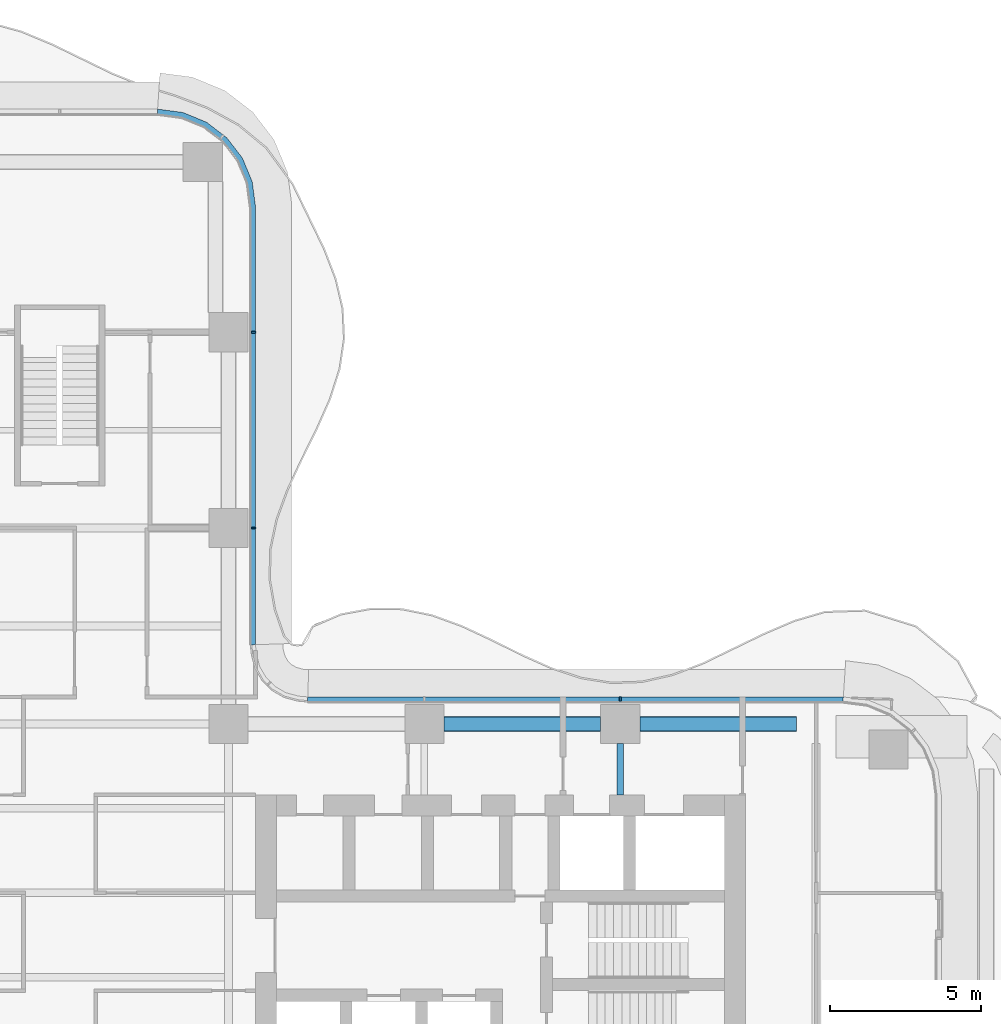
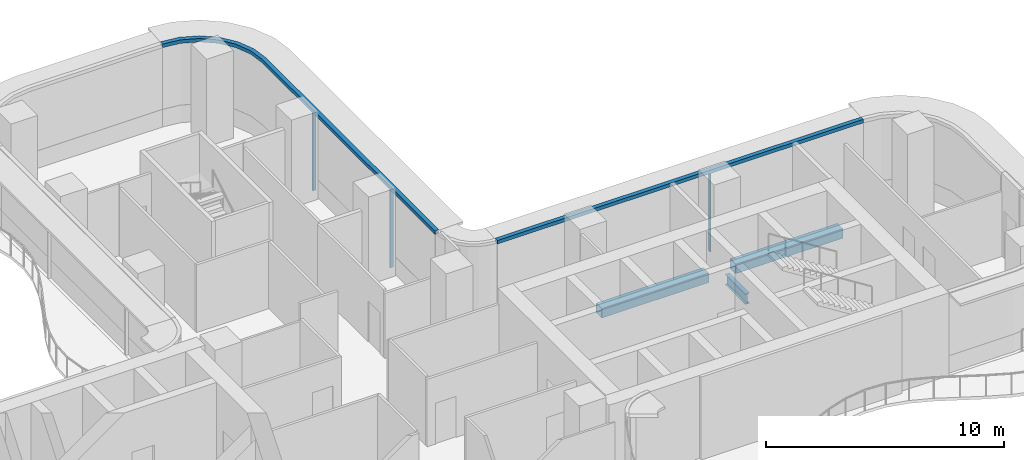
# One storey, part 10 of 21: 5 members, 3 beams, 2 elements without a shape of their own.
"""IFC4 building model written with IfcOpenShell, lengths in metres."""

import ifcopenshell
import ifcopenshell.guid

model = None  # the IFC model being written
_history = None  # IfcOwnerHistory: only IFC2X3 demands one
_inside = {}  # id of a spatial element -> (the spatial element, [elements in it])
_under = {}  # id of a project, library or spatial element -> (it, [spatial elements below it])
_declared = {}  # id of a project -> (the project, [libraries it declares])
_typed = {}  # id of a type object -> (the type object, [elements of that type])
_made_of = {}  # id of a material, layer set ... -> (it, [elements and type objects made of it])


def new_model(schema):
    """Start an empty IFC model of exactly this schema.

    Asked for "IFC4X3", IfcOpenShell would pick the latest addendum, in which some entities
    have other attributes; the version numbers below select the first issue.
    IFC2X3 requires an IfcOwnerHistory on every rooted entity: one is made here for all.
    """
    global model, _history
    if schema == "IFC4X3":
        model = ifcopenshell.file(schema_version=(4, 3, 0, 0))
    else:
        model = ifcopenshell.file(schema=schema)
    _inside.clear()
    _under.clear()
    _declared.clear()
    _typed.clear()
    _made_of.clear()
    _history = None
    if model.schema == "IFC2X3":
        org = make("IfcOrganization", Name="unknown")
        user = make(
            "IfcPersonAndOrganization",
            ThePerson=make("IfcPerson", FamilyName="unknown"),
            TheOrganization=org,
        )
        app = make(
            "IfcApplication",
            ApplicationDeveloper=org,
            Version="unknown",
            ApplicationFullName="unknown",
            ApplicationIdentifier="unknown",
        )
        _history = make(
            "IfcOwnerHistory",
            OwningUser=user,
            OwningApplication=app,
            ChangeAction="ADDED",
            CreationDate=0,
        )
    return model


def make(cls, **values):
    """One entity of the class cls with the attributes given. An attribute that is None is left unset."""
    return model.create_entity(
        cls, **{name: value for name, value in values.items() if value is not None}
    )


def rooted(cls, **values):
    """An entity with a GlobalId (a new one), such as an element, a storey or a relation."""
    return make(cls, GlobalId=ifcopenshell.guid.new(), OwnerHistory=_history, **values)


def si_unit(unit_type, name, prefix=None):
    """IfcSIUnit, for example si_unit("LENGTHUNIT", "METRE", prefix="MILLI")."""
    return make("IfcSIUnit", UnitType=unit_type, Prefix=prefix, Name=name)


def assignment(units):
    """IfcUnitAssignment: the units of a project."""
    return None if units is None else make("IfcUnitAssignment", Units=units)


def point(xyz):
    """IfcCartesianPoint."""
    return None if xyz is None else make("IfcCartesianPoint", Coordinates=xyz)


def direction(xyz):
    """IfcDirection."""
    return None if xyz is None else make("IfcDirection", DirectionRatios=xyz)


def frame(location, z_axis=None, x_axis=None):
    """IfcAxis2Placement3D, a coordinate frame: its origin and axes. An axis left out is left unset."""
    return make(
        "IfcAxis2Placement3D",
        Location=point(location),
        Axis=direction(z_axis),
        RefDirection=direction(x_axis),
    )


def frame_2d(location, x_axis=None):
    """IfcAxis2Placement2D, a coordinate frame in the plane: its origin and x axis."""
    return make(
        "IfcAxis2Placement2D", Location=point(location), RefDirection=direction(x_axis)
    )


def origin():
    """The frame at (0, 0, 0) with its axes left unset."""
    return frame((0.0, 0.0, 0.0))


def origin_2d():
    """The frame at (0, 0) in the plane with its x axis left unset."""
    return frame_2d((0.0, 0.0))


def place(relative_to, where):
    """IfcLocalPlacement: puts the frame where relative to a parent placement (None: the world)."""
    return make(
        "IfcLocalPlacement", PlacementRelTo=relative_to, RelativePlacement=where
    )


def context(
    kind, dimensions, precision=None, world=None, true_north=None, identifier=None
):
    """IfcGeometricRepresentationContext, for example the 3D "Model" context."""
    return make(
        "IfcGeometricRepresentationContext",
        ContextIdentifier=identifier,
        ContextType=kind,
        CoordinateSpaceDimension=dimensions,
        Precision=precision,
        WorldCoordinateSystem=world,
        TrueNorth=true_north,
    )


def subcontext(parent, identifier, kind, view, scale=None):
    """IfcGeometricRepresentationSubContext, for example "Body" below "Model"."""
    return make(
        "IfcGeometricRepresentationSubContext",
        ContextIdentifier=identifier,
        ContextType=kind,
        ParentContext=parent,
        TargetScale=scale,
        TargetView=view,
    )


def project(units=None, contexts=None):
    """IfcProject with its units and contexts."""
    return rooted(
        "IfcProject",
        Name="project",
        RepresentationContexts=contexts,
        UnitsInContext=assignment(units),
    )


def spatial(cls, under=None, at=None, **own):
    """A site, building, storey or space (cls), placed at a placement, below another one or the project."""
    s = rooted(cls, ObjectPlacement=at, **own)
    if under is not None:
        _under.setdefault(under.id(), (under, []))[1].append(s)
    return s


def polyline(points):
    """IfcPolyline through the points."""
    return make("IfcPolyline", Points=[point(p) for p in points])


def profile(cls, at=None, kind="AREA", **sizes):
    """A parametric profile (cls). Its sizes go by their IFC names, for example OverallWidth=200.0."""
    return make(cls, ProfileType=kind, Position=at, **sizes)


def rectangle(**sizes):
    """IfcRectangleProfileDef."""
    return profile("IfcRectangleProfileDef", **sizes)


def hollow_rectangle(**sizes):
    """IfcRectangleHollowProfileDef."""
    return profile("IfcRectangleHollowProfileDef", **sizes)


def i_section(**sizes):
    """IfcIShapeProfileDef."""
    return profile("IfcIShapeProfileDef", **sizes)


def outline(outer, holes=None, kind="AREA"):
    """IfcArbitraryClosedProfileDef: a profile drawn as a closed curve; with holes, ...WithVoids."""
    if holes is None:
        return make("IfcArbitraryClosedProfileDef", ProfileType=kind, OuterCurve=outer)
    return make(
        "IfcArbitraryProfileDefWithVoids",
        ProfileType=kind,
        OuterCurve=outer,
        InnerCurves=holes,
    )


def extrude(swept, where, along, depth):
    """IfcExtrudedAreaSolid: the profile swept, set in the frame where, extruded along a direction by depth."""
    return make(
        "IfcExtrudedAreaSolid",
        SweptArea=swept,
        Position=where,
        ExtrudedDirection=direction(along),
        Depth=depth,
    )


def shape(context_of_items, identifier, shape_type, items):
    """IfcShapeRepresentation: the items that make up one representation, for example the "Body"."""
    return make(
        "IfcShapeRepresentation",
        ContextOfItems=context_of_items,
        RepresentationIdentifier=identifier,
        RepresentationType=shape_type,
        Items=items,
    )


def source(mapping_origin, context_of_items, identifier, shape_type, items):
    """IfcRepresentationMap: a shape defined once, which mapped items show again and again."""
    return make(
        "IfcRepresentationMap",
        MappingOrigin=mapping_origin,
        MappedRepresentation=shape(context_of_items, identifier, shape_type, items),
    )


def transform(
    local_origin,
    x_axis=None,
    y_axis=None,
    z_axis=None,
    scale=None,
    scale2=None,
    scale3=None,
    uniform=True,
):
    """IfcCartesianTransformationOperator3D, or its non-uniform kind. x_axis, y_axis, z_axis: its Axis1, 2, 3."""
    if uniform:
        return make(
            "IfcCartesianTransformationOperator3D",
            Axis1=direction(x_axis),
            Axis2=direction(y_axis),
            LocalOrigin=point(local_origin),
            Scale=scale,
            Axis3=direction(z_axis),
        )
    return make(
        "IfcCartesianTransformationOperator3DnonUniform",
        Axis1=direction(x_axis),
        Axis2=direction(y_axis),
        LocalOrigin=point(local_origin),
        Scale=scale,
        Axis3=direction(z_axis),
        Scale2=scale2,
        Scale3=scale3,
    )


def mapped(mapping_source, mapping_target):
    """IfcMappedItem: shows the shape of a source again, moved by a transform."""
    return make(
        "IfcMappedItem", MappingSource=mapping_source, MappingTarget=mapping_target
    )


def material(Name=None, Category=None):
    """IfcMaterial."""
    return make("IfcMaterial", Name=Name, Category=Category)


def layer(
    of_material, thickness, ventilated=None, Name=None, Category=None, Priority=None
):
    """IfcMaterialLayer: one layer of a wall or slab, of a material (None: an air gap)."""
    return make(
        "IfcMaterialLayer",
        Material=of_material,
        LayerThickness=thickness,
        IsVentilated=ventilated,
        Name=Name,
        Category=Category,
        Priority=Priority,
    )


def layer_set(layers, Name=None):
    """IfcMaterialLayerSet."""
    return make("IfcMaterialLayerSet", MaterialLayers=layers, LayerSetName=Name)


def material_profile(
    of_material, cross_section, Name=None, Category=None, Priority=None
):
    """IfcMaterialProfile: a cross section and its material."""
    return make(
        "IfcMaterialProfile",
        Name=Name,
        Material=of_material,
        Profile=cross_section,
        Priority=Priority,
        Category=Category,
    )


def profile_set(profiles, Name=None, composite=None):
    """IfcMaterialProfileSet."""
    return make(
        "IfcMaterialProfileSet",
        Name=Name,
        MaterialProfiles=profiles,
        CompositeProfile=composite,
    )


def made_of(thing, what):
    """Note that an element or type object is made of a material, layer set ...; save() writes the relation."""
    if what is not None:
        _made_of.setdefault(what.id(), (what, []))[1].append(thing)
    return thing


def type_object(cls, material=None, **own):
    """A type object (cls), such as IfcWallType, which elements share."""
    return made_of(rooted(cls, **own), material)


def element(
    cls,
    number,
    at=None,
    inside=None,
    cuts=None,
    type_object=None,
    material=None,
    context=None,
    identifier="Body",
    shape_type=None,
    held_by="IfcProductDefinitionShape",
    body=None,
    shapes=None,
    **own,
):
    """One element of the class cls, such as IfcWall. Its Tag is "e" and its number.

    at: its placement. inside: the storey or other place that contains it. cuts: it is an
    opening in that element (IfcRelVoidsElement). A single representation is given by context,
    identifier, shape_type and body (its items); several are given by shapes. held_by: the class
    of the entity that holds the representations. save() writes the other relations.
    """
    e = rooted(cls, Tag="e%d" % number, ObjectPlacement=at, **own)
    if body is not None:
        shapes = [shape(context, identifier, shape_type, body)]
    if shapes is not None:
        e.Representation = make(held_by, Representations=shapes)
    if inside is not None:
        _inside.setdefault(inside.id(), (inside, []))[1].append(e)
    if cuts is not None:
        rooted(
            "IfcRelVoidsElement", RelatingBuildingElement=cuts, RelatedOpeningElement=e
        )
    if type_object is not None:
        _typed.setdefault(type_object.id(), (type_object, []))[1].append(e)
    return made_of(e, material)


def aggregate(whole, parts):
    """IfcRelAggregates: a whole, such as a stair, and the parts it consists of."""
    return rooted("IfcRelAggregates", RelatingObject=whole, RelatedObjects=parts)


def save(model, path):
    """Write the relations noted so far, then the file.

    IfcRelAggregates (storeys below a building ...), IfcRelContainedInSpatialStructure (elements
    in a storey), IfcRelDefinesByType, IfcRelAssociatesMaterial and IfcRelDeclares: one each for
    every whole, place, type object, material and project.
    """
    for whole, parts in _under.values():
        aggregate(whole, parts)
    for where, things in _inside.values():
        rooted(
            "IfcRelContainedInSpatialStructure",
            RelatedElements=things,
            RelatingStructure=where,
        )
    for kind, things in _typed.values():
        rooted("IfcRelDefinesByType", RelatedObjects=things, RelatingType=kind)
    for what, things in _made_of.values():
        rooted("IfcRelAssociatesMaterial", RelatedObjects=things, RelatingMaterial=what)
    for by, libraries in _declared.values():
        rooted("IfcRelDeclares", RelatingContext=by, RelatedDefinitions=libraries)
    model.write(path)


model = new_model("IFC4")

# Units and contexts
model_context = context("Model", 3, precision=1e-05, world=origin(), true_north=direction((0.0, 1.0)))
body_context = subcontext(model_context, "Body", "Model", "MODEL_VIEW")
ifc_project = project(units=[si_unit("LENGTHUNIT", "METRE"), si_unit("AREAUNIT", "SQUARE_METRE"), si_unit("VOLUMEUNIT", "CUBIC_METRE"), si_unit("PLANEANGLEUNIT", "RADIAN"), si_unit("MASSUNIT", "GRAM", prefix="KILO")], contexts=[model_context])

# Site, building, storey
site_placement = place(None, origin())
site = spatial("IfcSite", under=ifc_project, at=site_placement, CompositionType="ELEMENT")
building_placement = place(site_placement, origin())
building = spatial("IfcBuilding", under=site, at=building_placement, Name="Trellis Farm Tower", CompositionType="ELEMENT")
storey_placement = place(building_placement, frame((0.0, 0.0, 97.5)))
storey = spatial("IfcBuildingStorey", under=building, at=storey_placement, Name="L20", CompositionType="ELEMENT", Elevation=97.5)

# Beams
ifc_material_1 = material(Name="Steel S355", Category="steel")
ifc_material_profile_1 = material_profile(ifc_material_1, hollow_rectangle(XDim=0.5, YDim=0.5, WallThickness=0.02001953125, InnerFilletRadius=0.02001953125, OuterFilletRadius=0.030029296875, at=origin_2d()), Name="SHS 500x500x20")
ifc_profile_set_1 = profile_set([ifc_material_profile_1], Name="Steel S355")
beam_type_1 = type_object("IfcBeamType", Name="SHS 500x500x20", PredefinedType="BEAM", material=ifc_profile_set_1)
shared_shape_1 = source(origin(), body_context, "Body", "SweptSolid", [
    extrude(hollow_rectangle(XDim=0.5, YDim=0.5, WallThickness=0.02001953125, InnerFilletRadius=0.02001953125, OuterFilletRadius=0.030029296875, at=origin_2d()), origin(), (0.0, 0.0, 1.0), 5.199951171875),
])
for number, where, z_axis, x_axis, name in (
    (1, (12.75, 5.60009765625, -0.5), (1.0, 0.0, 0.0), (0.0, 1.0, 0.0), "Girder"),
    (2, (19.25, 5.60009765625, -0.5), (1.0, 0.0, 0.0), (0.0, 1.0, 0.0), "Girder"),
):
    element("IfcBeam", number, at=place(storey_placement, frame(where, z_axis=z_axis, x_axis=x_axis)), inside=storey, type_object=beam_type_1, Name=name, PredefinedType="BEAM", context=body_context, shape_type="MappedRepresentation", body=[
        mapped(shared_shape_1, transform((0.0, 0.0, 0.0))),
    ])
ifc_material_profile_2 = material_profile(ifc_material_1, i_section(OverallWidth=0.209228515625, OverallDepth=0.533203125, WebThickness=0.010009765625, FlangeThickness=0.015625, FilletRadius=0.0126953125, at=origin_2d()), Name="UB 533x210x92")
ifc_profile_set_2 = profile_set([ifc_material_profile_2], Name="Steel S355")
beam_type_2 = type_object("IfcBeamType", Name="UB 533x210x92", PredefinedType="BEAM", material=ifc_profile_set_2)
shared_shape_2 = source(origin(), body_context, "Body", "SweptSolid", [
    extrude(i_section(OverallWidth=0.209228515625, OverallDepth=0.533203125, WebThickness=0.010009765625, FlangeThickness=0.015625, FilletRadius=0.0126953125, at=origin_2d()), origin(), (0.0, 0.0, 1.0), 1.699951171875),
])
beam_placement = place(storey_placement, frame((18.60009765625, 3.25, -0.5166015625), z_axis=(0.0, 1.0, 0.0), x_axis=(-1.0, 0.0, 0.0)))
element("IfcBeam", 3, at=beam_placement, inside=storey, type_object=beam_type_2, Name="Girder", PredefinedType="BEAM", context=body_context, shape_type="MappedRepresentation", body=[
    mapped(shared_shape_2, transform((0.0, 0.0, 0.0))),
])

# Curtain wall, member
ifc_material_2 = material(Name="Aluminium and glass curtain wall", Category="aluminium")
ifc_layer_1 = layer(ifc_material_2, 0.18994140625)
ifc_layer_set_1 = layer_set([ifc_layer_1], Name="RIBBON CURTAIN WALL CW1")
curtain_wall_type = type_object("IfcCurtainWallType", Name="RIBBON CURTAIN WALL CW1", PredefinedType="NOTDEFINED", material=ifc_layer_set_1)
placement_1 = place(storey_placement, origin())
curtain_wall_1 = element("IfcCurtainWall", 4, at=placement_1, inside=storey, type_object=curtain_wall_type, Name="CW1 009", PredefinedType="NOTDEFINED")
ifc_material_3 = material(Name="Aluminium extrusion 6063-T6", Category="aluminium")
ifc_material_profile_3 = material_profile(ifc_material_3, rectangle(XDim=0.06005859375, YDim=0.14990234375, at=origin_2d()), Name="MULLION 60x150")
ifc_profile_set_3 = profile_set([ifc_material_profile_3], Name="Aluminium extrusion 6063-T6")
member_type_1 = type_object("IfcMemberType", Name="CW1 MULLION 60x150", PredefinedType="MULLION", material=ifc_profile_set_3)
shared_shape_3 = source(origin(), body_context, "Body", "SweptSolid", [
    extrude(rectangle(XDim=0.06005859375, YDim=0.14990234375, at=origin_2d()), origin(), (0.0, 0.0, 1.0), 4.070068359375),
])
member_1_placement = place(storey_placement, frame((18.60009765625, 6.425048828125, 0.0), z_axis=(0.0, 0.0, 1.0), x_axis=(-1.0, 0.0, 0.0)))
member_1 = element("IfcMember", 5, at=member_1_placement, type_object=member_type_1, Name="MU1 009-01", PredefinedType="MULLION", context=body_context, shape_type="MappedRepresentation", body=[
    mapped(shared_shape_3, transform((0.0, 0.0, 0.0))),
])

# Curtain wall, members
curtain_wall_2 = element("IfcCurtainWall", 6, at=placement_1, inside=storey, type_object=curtain_wall_type, Name="CW1 010", PredefinedType="NOTDEFINED")
member_2_placement = place(storey_placement, frame((6.425048828125, 12.10009765625, 0.0), z_axis=(0.0, 0.0, 1.0), x_axis=(0.0, 1.0, 0.0)))
member_2 = element("IfcMember", 7, at=member_2_placement, type_object=member_type_1, Name="MU1 010-01", PredefinedType="MULLION", context=body_context, shape_type="MappedRepresentation", body=[
    mapped(shared_shape_3, transform((0.0, 0.0, 0.0))),
])
member_3_placement = place(storey_placement, frame((6.425048828125, 18.60009765625, 0.0), z_axis=(0.0, 0.0, 1.0), x_axis=(0.0, 1.0, 0.0)))
member_3 = element("IfcMember", 8, at=member_3_placement, type_object=member_type_1, Name="MU1 010-02", PredefinedType="MULLION", context=body_context, shape_type="MappedRepresentation", body=[
    mapped(shared_shape_3, transform((0.0, 0.0, 0.0))),
])
ifc_layer_2 = layer(ifc_material_3, 0.199951171875)
ifc_layer_set_2 = layer_set([ifc_layer_2], Name="Aluminium extrusion 6063-T6")
member_type_2 = type_object("IfcMemberType", Name="CW1 TRANSOM 200x180", PredefinedType="USERDEFINED", material=ifc_layer_set_2)
shared_shape_4 = source(origin(), body_context, "Body", "SweptSolid", [
    extrude(outline(polyline([(6.5, 8.2314453125), (6.5, 22.75), (6.38916015625, 23.591064453125), (6.064697265625, 24.375), (5.548095703125, 25.048095703125), (4.875, 25.564697265625), (4.091064453125, 25.88916015625), (3.25, 26.0), (3.23681640625, 25.800048828125), (4.0390625, 25.6943359375), (4.774169921875, 25.389892578125), (5.405517578125, 24.905517578125), (5.889892578125, 24.274169921875), (6.1943359375, 23.5390625), (6.300048828125, 22.73681640625), (6.300048828125, 8.224853515625), (6.5, 8.2314453125)])), origin(), (0.0, 0.0, 1.0), 0.179931640625),
])
placement_2 = place(storey_placement, frame((0.0, 0.0, 4.070068359375)))
member_4 = element("IfcMember", 9, at=placement_2, type_object=member_type_2, Name="TR1 010", ObjectType="TRANSOM", PredefinedType="USERDEFINED", context=body_context, shape_type="MappedRepresentation", body=[
    mapped(shared_shape_4, transform((0.0, 0.0, 0.0))),
])
aggregate(curtain_wall_2, [member_2, member_3, member_4])

# Member
shared_shape_5 = source(origin(), body_context, "Body", "SweptSolid", [
    extrude(outline(polyline([(26.0, 6.5), (8.2314453125, 6.5), (8.224853515625, 6.300048828125), (25.98681640625, 6.300048828125), (26.0, 6.5)])), origin(), (0.0, 0.0, 1.0), 0.179931640625),
])
member_5 = element("IfcMember", 10, at=placement_2, type_object=member_type_2, Name="TR1 009", ObjectType="TRANSOM", PredefinedType="USERDEFINED", context=body_context, shape_type="MappedRepresentation", body=[
    mapped(shared_shape_5, transform((0.0, 0.0, 0.0))),
])

aggregate(curtain_wall_1, [member_1, member_5])

save(model, "model.ifc")
